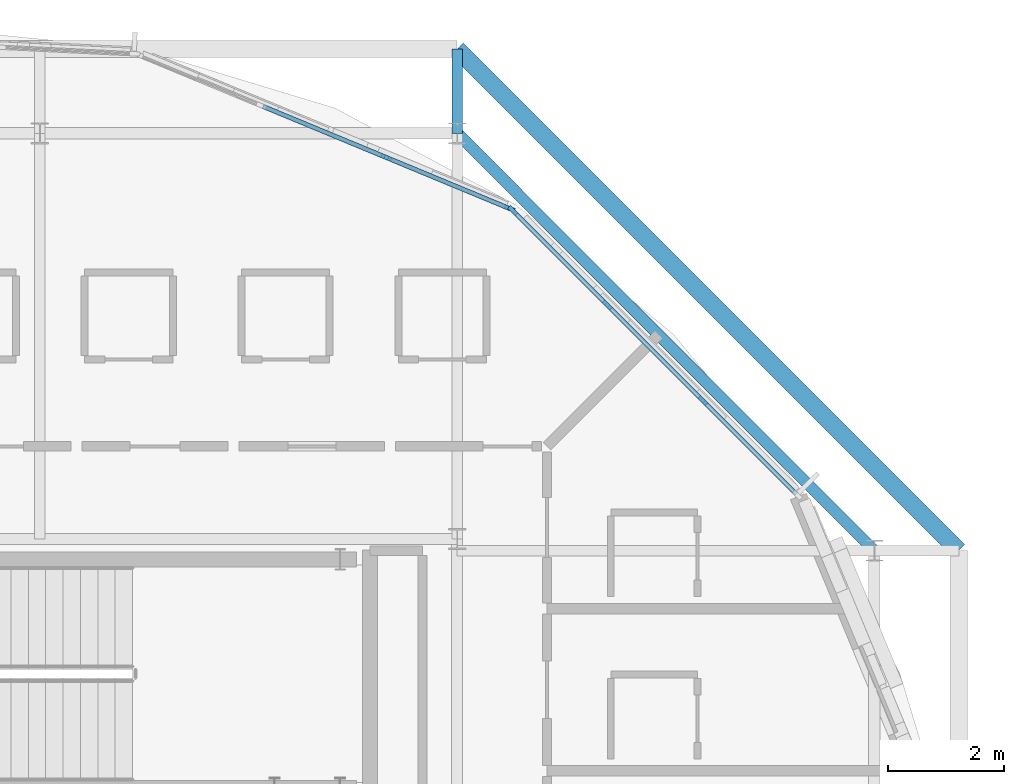
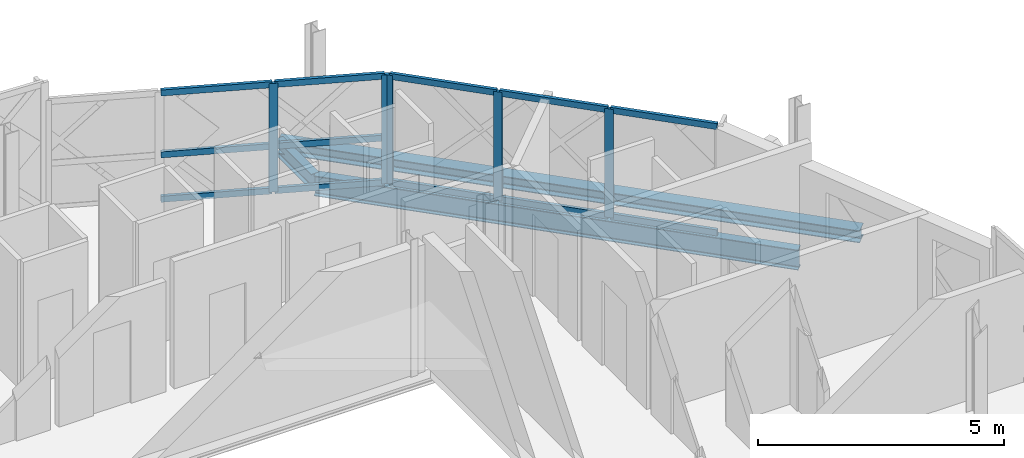
# One storey, part 10 of 24: 17 members, 3 beams, 2 elements without a shape of their own.
"""IFC4 building model written with IfcOpenShell, lengths in metres."""

import ifcopenshell
import ifcopenshell.guid

model = None  # the IFC model being written
_history = None  # IfcOwnerHistory: only IFC2X3 demands one
_inside = {}  # id of a spatial element -> (the spatial element, [elements in it])
_under = {}  # id of a project, library or spatial element -> (it, [spatial elements below it])
_declared = {}  # id of a project -> (the project, [libraries it declares])
_typed = {}  # id of a type object -> (the type object, [elements of that type])
_made_of = {}  # id of a material, layer set ... -> (it, [elements and type objects made of it])


def new_model(schema):
    """Start an empty IFC model of exactly this schema.

    Asked for "IFC4X3", IfcOpenShell would pick the latest addendum, in which some entities
    have other attributes; the version numbers below select the first issue.
    IFC2X3 requires an IfcOwnerHistory on every rooted entity: one is made here for all.
    """
    global model, _history
    if schema == "IFC4X3":
        model = ifcopenshell.file(schema_version=(4, 3, 0, 0))
    else:
        model = ifcopenshell.file(schema=schema)
    _inside.clear()
    _under.clear()
    _declared.clear()
    _typed.clear()
    _made_of.clear()
    _history = None
    if model.schema == "IFC2X3":
        org = make("IfcOrganization", Name="unknown")
        user = make(
            "IfcPersonAndOrganization",
            ThePerson=make("IfcPerson", FamilyName="unknown"),
            TheOrganization=org,
        )
        app = make(
            "IfcApplication",
            ApplicationDeveloper=org,
            Version="unknown",
            ApplicationFullName="unknown",
            ApplicationIdentifier="unknown",
        )
        _history = make(
            "IfcOwnerHistory",
            OwningUser=user,
            OwningApplication=app,
            ChangeAction="ADDED",
            CreationDate=0,
        )
    return model


def make(cls, **values):
    """One entity of the class cls with the attributes given. An attribute that is None is left unset."""
    return model.create_entity(
        cls, **{name: value for name, value in values.items() if value is not None}
    )


def rooted(cls, **values):
    """An entity with a GlobalId (a new one), such as an element, a storey or a relation."""
    return make(cls, GlobalId=ifcopenshell.guid.new(), OwnerHistory=_history, **values)


def si_unit(unit_type, name, prefix=None):
    """IfcSIUnit, for example si_unit("LENGTHUNIT", "METRE", prefix="MILLI")."""
    return make("IfcSIUnit", UnitType=unit_type, Prefix=prefix, Name=name)


def assignment(units):
    """IfcUnitAssignment: the units of a project."""
    return None if units is None else make("IfcUnitAssignment", Units=units)


def point(xyz):
    """IfcCartesianPoint."""
    return None if xyz is None else make("IfcCartesianPoint", Coordinates=xyz)


def direction(xyz):
    """IfcDirection."""
    return None if xyz is None else make("IfcDirection", DirectionRatios=xyz)


def frame(location, z_axis=None, x_axis=None):
    """IfcAxis2Placement3D, a coordinate frame: its origin and axes. An axis left out is left unset."""
    return make(
        "IfcAxis2Placement3D",
        Location=point(location),
        Axis=direction(z_axis),
        RefDirection=direction(x_axis),
    )


def frame_2d(location, x_axis=None):
    """IfcAxis2Placement2D, a coordinate frame in the plane: its origin and x axis."""
    return make(
        "IfcAxis2Placement2D", Location=point(location), RefDirection=direction(x_axis)
    )


def origin():
    """The frame at (0, 0, 0) with its axes left unset."""
    return frame((0.0, 0.0, 0.0))


def origin_2d():
    """The frame at (0, 0) in the plane with its x axis left unset."""
    return frame_2d((0.0, 0.0))


def place(relative_to, where):
    """IfcLocalPlacement: puts the frame where relative to a parent placement (None: the world)."""
    return make(
        "IfcLocalPlacement", PlacementRelTo=relative_to, RelativePlacement=where
    )


def context(
    kind, dimensions, precision=None, world=None, true_north=None, identifier=None
):
    """IfcGeometricRepresentationContext, for example the 3D "Model" context."""
    return make(
        "IfcGeometricRepresentationContext",
        ContextIdentifier=identifier,
        ContextType=kind,
        CoordinateSpaceDimension=dimensions,
        Precision=precision,
        WorldCoordinateSystem=world,
        TrueNorth=true_north,
    )


def subcontext(parent, identifier, kind, view, scale=None):
    """IfcGeometricRepresentationSubContext, for example "Body" below "Model"."""
    return make(
        "IfcGeometricRepresentationSubContext",
        ContextIdentifier=identifier,
        ContextType=kind,
        ParentContext=parent,
        TargetScale=scale,
        TargetView=view,
    )


def project(units=None, contexts=None):
    """IfcProject with its units and contexts."""
    return rooted(
        "IfcProject",
        Name="project",
        RepresentationContexts=contexts,
        UnitsInContext=assignment(units),
    )


def spatial(cls, under=None, at=None, **own):
    """A site, building, storey or space (cls), placed at a placement, below another one or the project."""
    s = rooted(cls, ObjectPlacement=at, **own)
    if under is not None:
        _under.setdefault(under.id(), (under, []))[1].append(s)
    return s


def profile(cls, at=None, kind="AREA", **sizes):
    """A parametric profile (cls). Its sizes go by their IFC names, for example OverallWidth=200.0."""
    return make(cls, ProfileType=kind, Position=at, **sizes)


def rectangle(**sizes):
    """IfcRectangleProfileDef."""
    return profile("IfcRectangleProfileDef", **sizes)


def i_section(**sizes):
    """IfcIShapeProfileDef."""
    return profile("IfcIShapeProfileDef", **sizes)


def extrude(swept, where, along, depth):
    """IfcExtrudedAreaSolid: the profile swept, set in the frame where, extruded along a direction by depth."""
    return make(
        "IfcExtrudedAreaSolid",
        SweptArea=swept,
        Position=where,
        ExtrudedDirection=direction(along),
        Depth=depth,
    )


def shape(context_of_items, identifier, shape_type, items):
    """IfcShapeRepresentation: the items that make up one representation, for example the "Body"."""
    return make(
        "IfcShapeRepresentation",
        ContextOfItems=context_of_items,
        RepresentationIdentifier=identifier,
        RepresentationType=shape_type,
        Items=items,
    )


def material(Name=None, Category=None):
    """IfcMaterial."""
    return make("IfcMaterial", Name=Name, Category=Category)


def layer(
    of_material, thickness, ventilated=None, Name=None, Category=None, Priority=None
):
    """IfcMaterialLayer: one layer of a wall or slab, of a material (None: an air gap)."""
    return make(
        "IfcMaterialLayer",
        Material=of_material,
        LayerThickness=thickness,
        IsVentilated=ventilated,
        Name=Name,
        Category=Category,
        Priority=Priority,
    )


def layer_set(layers, Name=None):
    """IfcMaterialLayerSet."""
    return make("IfcMaterialLayerSet", MaterialLayers=layers, LayerSetName=Name)


def material_profile(
    of_material, cross_section, Name=None, Category=None, Priority=None
):
    """IfcMaterialProfile: a cross section and its material."""
    return make(
        "IfcMaterialProfile",
        Name=Name,
        Material=of_material,
        Profile=cross_section,
        Priority=Priority,
        Category=Category,
    )


def profile_set(profiles, Name=None, composite=None):
    """IfcMaterialProfileSet."""
    return make(
        "IfcMaterialProfileSet",
        Name=Name,
        MaterialProfiles=profiles,
        CompositeProfile=composite,
    )


def made_of(thing, what):
    """Note that an element or type object is made of a material, layer set ...; save() writes the relation."""
    if what is not None:
        _made_of.setdefault(what.id(), (what, []))[1].append(thing)
    return thing


def type_object(cls, material=None, **own):
    """A type object (cls), such as IfcWallType, which elements share."""
    return made_of(rooted(cls, **own), material)


def element(
    cls,
    number,
    at=None,
    inside=None,
    cuts=None,
    type_object=None,
    material=None,
    context=None,
    identifier="Body",
    shape_type=None,
    held_by="IfcProductDefinitionShape",
    body=None,
    shapes=None,
    **own,
):
    """One element of the class cls, such as IfcWall. Its Tag is "e" and its number.

    at: its placement. inside: the storey or other place that contains it. cuts: it is an
    opening in that element (IfcRelVoidsElement). A single representation is given by context,
    identifier, shape_type and body (its items); several are given by shapes. held_by: the class
    of the entity that holds the representations. save() writes the other relations.
    """
    e = rooted(cls, Tag="e%d" % number, ObjectPlacement=at, **own)
    if body is not None:
        shapes = [shape(context, identifier, shape_type, body)]
    if shapes is not None:
        e.Representation = make(held_by, Representations=shapes)
    if inside is not None:
        _inside.setdefault(inside.id(), (inside, []))[1].append(e)
    if cuts is not None:
        rooted(
            "IfcRelVoidsElement", RelatingBuildingElement=cuts, RelatedOpeningElement=e
        )
    if type_object is not None:
        _typed.setdefault(type_object.id(), (type_object, []))[1].append(e)
    return made_of(e, material)


def aggregate(whole, parts):
    """IfcRelAggregates: a whole, such as a stair, and the parts it consists of."""
    return rooted("IfcRelAggregates", RelatingObject=whole, RelatedObjects=parts)


def save(model, path):
    """Write the relations noted so far, then the file.

    IfcRelAggregates (storeys below a building ...), IfcRelContainedInSpatialStructure (elements
    in a storey), IfcRelDefinesByType, IfcRelAssociatesMaterial and IfcRelDeclares: one each for
    every whole, place, type object, material and project.
    """
    for whole, parts in _under.values():
        aggregate(whole, parts)
    for where, things in _inside.values():
        rooted(
            "IfcRelContainedInSpatialStructure",
            RelatedElements=things,
            RelatingStructure=where,
        )
    for kind, things in _typed.values():
        rooted("IfcRelDefinesByType", RelatedObjects=things, RelatingType=kind)
    for what, things in _made_of.values():
        rooted("IfcRelAssociatesMaterial", RelatedObjects=things, RelatingMaterial=what)
    for by, libraries in _declared.values():
        rooted("IfcRelDeclares", RelatingContext=by, RelatedDefinitions=libraries)
    model.write(path)


model = new_model("IFC4")

# Units and contexts
model_context = context("Model", 3, precision=1e-05, world=origin(), true_north=direction((0.0, 1.0)))
body_context = subcontext(model_context, "Body", "Model", "MODEL_VIEW")
ifc_project = project(units=[si_unit("LENGTHUNIT", "METRE"), si_unit("AREAUNIT", "SQUARE_METRE"), si_unit("VOLUMEUNIT", "CUBIC_METRE"), si_unit("PLANEANGLEUNIT", "RADIAN"), si_unit("MASSUNIT", "GRAM", prefix="KILO")], contexts=[model_context])

# Site, building, storey
site_placement = place(None, origin())
site = spatial("IfcSite", under=ifc_project, at=site_placement, CompositionType="ELEMENT")
building_placement = place(site_placement, origin())
building = spatial("IfcBuilding", under=site, at=building_placement, Name="Zevrakil Square Congress Hotel", CompositionType="ELEMENT")
storey_placement = place(building_placement, frame((0.0, 0.0, 38.5)))
storey = spatial("IfcBuildingStorey", under=building, at=storey_placement, Name="L11", CompositionType="ELEMENT", Elevation=38.5)

# Beam
ifc_material_1 = material(Name="Steel S355", Category="steel")
ifc_material_profile_1 = material_profile(ifc_material_1, i_section(OverallWidth=0.199951171875, OverallDepth=0.5, WebThickness=0.01025390625, FlangeThickness=0.01611328125, FilletRadius=0.02099609375, at=origin_2d()), Name="IPE 500")
ifc_profile_set_1 = profile_set([ifc_material_profile_1], Name="Steel S355")
beam_type_1 = type_object("IfcBeamType", Name="BM-IPE500", PredefinedType="BEAM", material=ifc_profile_set_1)
beam_1_placement = place(storey_placement, frame((163.199951171875, 38.39990234375, -0.485107421875), z_axis=(-0.70709479277, 0.7071187694, 0.0), x_axis=(-0.7071187694, -0.70709479277, 0.0)))
element("IfcBeam", 1, at=beam_1_placement, inside=storey, type_object=beam_type_1, Name="L11 drum ring girder DRB-08", PredefinedType="BEAM", context=body_context, shape_type="SweptSolid", body=[
    extrude(i_section(OverallWidth=0.199951171875, OverallDepth=0.5, WebThickness=0.01025390625, FlangeThickness=0.01611328125, FilletRadius=0.02099609375, at=origin_2d()), origin(), (0.0, 0.0, 1.0), 10.182373046875),
])

# Curtain wall, members
ifc_material_2 = material(Name="Aluminium Anodised Bronze", Category="aluminium")
ifc_layer = layer(ifc_material_2, 0.179931640625)
ifc_layer_set = layer_set([ifc_layer], Name="Aluminium Anodised Bronze")
curtain_wall_type = type_object("IfcCurtainWallType", Name="CW-L11-720", PredefinedType="USERDEFINED", material=ifc_layer_set)
curtain_wall_1_placement = place(storey_placement, origin())
curtain_wall_1 = element("IfcCurtainWall", 2, at=curtain_wall_1_placement, inside=storey, type_object=curtain_wall_type, Name="L11 diamond curtain wall CW-L11-0291", ObjectType="GLAZED CURTAIN WALL", PredefinedType="USERDEFINED")
ifc_material_3 = material(Name="Aluminium Anodised Bronze", Category="aluminium")
ifc_material_profile_2 = material_profile(ifc_material_3, rectangle(XDim=0.074951171875, YDim=0.14990234375, at=origin_2d()), Name="ALU 75x150")
ifc_profile_set_2 = profile_set([ifc_material_profile_2], Name="Aluminium Anodised Bronze")
member_type_1 = type_object("IfcMemberType", Name="CWM-ALU75x150", PredefinedType="USERDEFINED", material=ifc_profile_set_2)
member_1_placement = place(storey_placement, frame((161.84765625, 39.378662109375, 0.030029296875), z_axis=(-0.707106781187, 0.707106781187, 0.0), x_axis=(-0.707106781187, -0.707106781187, 0.0)))
member_1 = element("IfcMember", 3, at=member_1_placement, type_object=member_type_1, Name="CW-130 transom 1.1", ObjectType="TRANSOM", PredefinedType="USERDEFINED", context=body_context, shape_type="SweptSolid", body=[
    extrude(rectangle(XDim=0.074951171875, YDim=0.14990234375, at=origin_2d()), origin(), (0.0, 0.0, 1.0), 2.245361328125),
])
member_2_placement = place(storey_placement, frame((161.84765625, 39.378662109375, 2.6650390625), z_axis=(-0.707106781187, 0.707106781187, 0.0), x_axis=(-0.707106781187, -0.707106781187, 0.0)))
member_2 = element("IfcMember", 4, at=member_2_placement, type_object=member_type_1, Name="CW-130 transom 1.2", ObjectType="TRANSOM", PredefinedType="USERDEFINED", context=body_context, shape_type="SweptSolid", body=[
    extrude(rectangle(XDim=0.074951171875, YDim=0.14990234375, at=origin_2d()), origin(), (0.0, 0.0, 1.0), 2.245361328125),
])
member_3_placement = place(storey_placement, frame((160.217529296875, 41.0087890625, 0.030029296875), z_axis=(-0.707160433205, 0.707053125097, 0.0), x_axis=(-0.707053125097, -0.707160433205, 0.0)))
member_3 = element("IfcMember", 5, at=member_3_placement, type_object=member_type_1, Name="CW-130 transom 2.1", ObjectType="TRANSOM", PredefinedType="USERDEFINED", context=body_context, shape_type="SweptSolid", body=[
    extrude(rectangle(XDim=0.074951171875, YDim=0.14990234375, at=origin_2d()), origin(), (0.0, 0.0, 1.0), 2.275146484375),
])
member_4_placement = place(storey_placement, frame((160.217529296875, 41.0087890625, 2.6650390625), z_axis=(-0.707160433205, 0.707053125097, 0.0), x_axis=(-0.707053125097, -0.707160433205, 0.0)))
member_4 = element("IfcMember", 6, at=member_4_placement, type_object=member_type_1, Name="CW-130 transom 2.2", ObjectType="TRANSOM", PredefinedType="USERDEFINED", context=body_context, shape_type="SweptSolid", body=[
    extrude(rectangle(XDim=0.074951171875, YDim=0.14990234375, at=origin_2d()), origin(), (0.0, 0.0, 1.0), 2.275146484375),
])
member_5_placement = place(storey_placement, frame((158.56640625, 42.659912109375, 0.030029296875), z_axis=(-0.707106781187, 0.707106781187, 0.0), x_axis=(-0.707106781187, -0.707106781187, 0.0)))
member_5 = element("IfcMember", 7, at=member_5_placement, type_object=member_type_1, Name="CW-130 transom 3.1", ObjectType="TRANSOM", PredefinedType="USERDEFINED", context=body_context, shape_type="SweptSolid", body=[
    extrude(rectangle(XDim=0.074951171875, YDim=0.14990234375, at=origin_2d()), origin(), (0.0, 0.0, 1.0), 2.245361328125),
])
member_6_placement = place(storey_placement, frame((158.56640625, 42.659912109375, 2.6650390625), z_axis=(-0.707106781187, 0.707106781187, 0.0), x_axis=(-0.707106781187, -0.707106781187, 0.0)))
member_6 = element("IfcMember", 8, at=member_6_placement, type_object=member_type_1, Name="CW-130 transom 3.2", ObjectType="TRANSOM", PredefinedType="USERDEFINED", context=body_context, shape_type="SweptSolid", body=[
    extrude(rectangle(XDim=0.074951171875, YDim=0.14990234375, at=origin_2d()), origin(), (0.0, 0.0, 1.0), 2.245361328125),
])

curtain_wall_2_placement = place(storey_placement, origin())
curtain_wall_2 = element("IfcCurtainWall", 9, at=curtain_wall_2_placement, inside=storey, type_object=curtain_wall_type, Name="L11 diamond curtain wall CW-L11-0292", ObjectType="GLAZED CURTAIN WALL", PredefinedType="USERDEFINED")
member_7_placement = place(storey_placement, frame((156.880859375, 44.31298828125, 0.030029296875), z_axis=(-0.923901544851, 0.382630285552, 0.0), x_axis=(-0.382630285552, -0.923901544851, 0.0)))
member_7 = element("IfcMember", 10, at=member_7_placement, type_object=member_type_1, Name="CW-130 transom 1.1", ObjectType="TRANSOM", PredefinedType="USERDEFINED", context=body_context, shape_type="SweptSolid", body=[
    extrude(rectangle(XDim=0.074951171875, YDim=0.14990234375, at=origin_2d()), origin(), (0.0, 0.0, 1.0), 2.245361328125),
])
member_8_placement = place(storey_placement, frame((156.880859375, 44.31298828125, 1.1318359375), z_axis=(-0.923901544851, 0.382630285552, 0.0), x_axis=(-0.382630285552, -0.923901544851, 0.0)))
member_8 = element("IfcMember", 11, at=member_8_placement, type_object=member_type_1, Name="CW-130 transom 1.2", ObjectType="TRANSOM", PredefinedType="USERDEFINED", context=body_context, shape_type="SweptSolid", body=[
    extrude(rectangle(XDim=0.074951171875, YDim=0.14990234375, at=origin_2d()), origin(), (0.0, 0.0, 1.0), 2.245361328125),
])
member_9_placement = place(storey_placement, frame((156.880859375, 44.31298828125, 2.6650390625), z_axis=(-0.923901544851, 0.382630285552, 0.0), x_axis=(-0.382630285552, -0.923901544851, 0.0)))
member_9 = element("IfcMember", 12, at=member_9_placement, type_object=member_type_1, Name="CW-130 transom 1.3", ObjectType="TRANSOM", PredefinedType="USERDEFINED", context=body_context, shape_type="SweptSolid", body=[
    extrude(rectangle(XDim=0.074951171875, YDim=0.14990234375, at=origin_2d()), origin(), (0.0, 0.0, 1.0), 2.245361328125),
])
member_10_placement = place(storey_placement, frame((154.7509765625, 45.195068359375, 0.030029296875), z_axis=(-0.923855963606, 0.38274032778, 0.0), x_axis=(-0.38274032778, -0.923855963606, 0.0)))
member_10 = element("IfcMember", 13, at=member_10_placement, type_object=member_type_1, Name="CW-130 transom 2.1", ObjectType="TRANSOM", PredefinedType="USERDEFINED", context=body_context, shape_type="SweptSolid", body=[
    extrude(rectangle(XDim=0.074951171875, YDim=0.14990234375, at=origin_2d()), origin(), (0.0, 0.0, 1.0), 2.275390625),
])
member_11_placement = place(storey_placement, frame((154.7509765625, 45.195068359375, 1.1318359375), z_axis=(-0.923855963606, 0.38274032778, 0.0), x_axis=(-0.38274032778, -0.923855963606, 0.0)))
member_11 = element("IfcMember", 14, at=member_11_placement, type_object=member_type_1, Name="CW-130 transom 2.2", ObjectType="TRANSOM", PredefinedType="USERDEFINED", context=body_context, shape_type="SweptSolid", body=[
    extrude(rectangle(XDim=0.074951171875, YDim=0.14990234375, at=origin_2d()), origin(), (0.0, 0.0, 1.0), 2.275390625),
])
member_12_placement = place(storey_placement, frame((154.7509765625, 45.195068359375, 2.6650390625), z_axis=(-0.923855963606, 0.38274032778, 0.0), x_axis=(-0.38274032778, -0.923855963606, 0.0)))
member_12 = element("IfcMember", 15, at=member_12_placement, type_object=member_type_1, Name="CW-130 transom 2.3", ObjectType="TRANSOM", PredefinedType="USERDEFINED", context=body_context, shape_type="SweptSolid", body=[
    extrude(rectangle(XDim=0.074951171875, YDim=0.14990234375, at=origin_2d()), origin(), (0.0, 0.0, 1.0), 2.275390625),
])

# Member
ifc_material_4 = material(Name="Aluminium Anodised Bronze", Category="aluminium")
ifc_material_profile_3 = material_profile(ifc_material_4, rectangle(XDim=0.074951171875, YDim=0.179931640625, at=origin_2d()), Name="ALU 75x180")
ifc_profile_set_3 = profile_set([ifc_material_profile_3], Name="Aluminium Anodised Bronze")
member_type_2 = type_object("IfcMemberType", Name="CWM-ALU75x180", PredefinedType="MULLION", material=ifc_profile_set_3)
member_13_placement = place(storey_placement, frame((160.23876953125, 40.987548828125, 0.0), z_axis=(0.0, 0.0, 1.0), x_axis=(-0.707106781187, -0.707106781187, 0.0)))
member_13 = element("IfcMember", 16, at=member_13_placement, type_object=member_type_2, Name="CW-130 mullion 2", PredefinedType="MULLION", context=body_context, shape_type="SweptSolid", body=[
    extrude(rectangle(XDim=0.074951171875, YDim=0.179931640625, at=origin_2d()), origin(), (0.0, 0.0, 1.0), 2.695068359375),
])

member_14_placement = place(storey_placement, frame((158.587646484375, 42.638671875, 0.0), z_axis=(0.0, 0.0, 1.0), x_axis=(-0.707106781187, -0.707106781187, 0.0)))
member_14 = element("IfcMember", 17, at=member_14_placement, type_object=member_type_2, Name="CW-130 mullion 3", PredefinedType="MULLION", context=body_context, shape_type="SweptSolid", body=[
    extrude(rectangle(XDim=0.074951171875, YDim=0.179931640625, at=origin_2d()), origin(), (0.0, 0.0, 1.0), 2.695068359375),
])

member_15_placement = place(storey_placement, frame((156.95751953125, 44.268798828125, 0.0), z_axis=(0.0, 0.0, 1.0), x_axis=(-0.707106781187, -0.707106781187, 0.0)))
member_15 = element("IfcMember", 18, at=member_15_placement, type_object=member_type_2, Name="CW-130 mullion 4", PredefinedType="MULLION", context=body_context, shape_type="SweptSolid", body=[
    extrude(rectangle(XDim=0.074951171875, YDim=0.179931640625, at=origin_2d()), origin(), (0.0, 0.0, 1.0), 2.695068359375),
])

aggregate(curtain_wall_1, [member_13, member_14, member_15, member_1, member_2, member_3, member_4, member_5, member_6])

member_16_placement = place(storey_placement, frame((156.90869140625, 44.301513671875, 0.0), z_axis=(0.0, 0.0, 1.0), x_axis=(-0.382683763454, -0.92387939537, 0.0)))
member_16 = element("IfcMember", 19, at=member_16_placement, type_object=member_type_2, Name="CW-130 mullion 1", PredefinedType="MULLION", context=body_context, shape_type="SweptSolid", body=[
    extrude(rectangle(XDim=0.074951171875, YDim=0.179931640625, at=origin_2d()), origin(), (0.0, 0.0, 1.0), 2.695068359375),
])

member_17_placement = place(storey_placement, frame((154.77880859375, 45.18359375, 0.0), z_axis=(0.0, 0.0, 1.0), x_axis=(-0.382683763454, -0.92387939537, 0.0)))
member_17 = element("IfcMember", 20, at=member_17_placement, type_object=member_type_2, Name="CW-130 mullion 2", PredefinedType="MULLION", context=body_context, shape_type="SweptSolid", body=[
    extrude(rectangle(XDim=0.074951171875, YDim=0.179931640625, at=origin_2d()), origin(), (0.0, 0.0, 1.0), 2.695068359375),
])

aggregate(curtain_wall_2, [member_16, member_17, member_7, member_8, member_9, member_10, member_11, member_12])

# Beams
ifc_material_5 = material(Name="Steel S355", Category="steel")
ifc_material_profile_4 = material_profile(ifc_material_5, i_section(OverallWidth=0.179931640625, OverallDepth=0.39990234375, WebThickness=0.008544921875, FlangeThickness=0.013427734375, FilletRadius=0.02099609375, at=origin_2d()), Name="IPE 400")
ifc_profile_set_4 = profile_set([ifc_material_profile_4], Name="Steel S355")
beam_type_2 = type_object("IfcBeamType", Name="JST-IPE400", PredefinedType="JOIST", material=ifc_profile_set_4)
beam_2_placement = place(storey_placement, frame((156.0, 45.60009765625, -0.43505859375), z_axis=(0.0, 1.0, 0.0), x_axis=(-1.0, 0.0, 0.0)))
element("IfcBeam", 21, at=beam_2_placement, inside=storey, type_object=beam_type_2, Name="L11 drum radial edge cantilever beam DRO-09", PredefinedType="JOIST", context=body_context, shape_type="SweptSolid", body=[
    extrude(i_section(OverallWidth=0.179931640625, OverallDepth=0.39990234375, WebThickness=0.008544921875, FlangeThickness=0.013427734375, FilletRadius=0.02099609375, at=origin_2d()), origin(), (0.0, 0.0, 1.0), 1.455810546875),
])
ifc_material_6 = material(Name="Steel S355", Category="steel")
ifc_material_profile_5 = material_profile(ifc_material_6, i_section(OverallWidth=0.300048828125, OverallDepth=0.300048828125, WebThickness=0.010986328125, FlangeThickness=0.01904296875, FilletRadius=0.027099609375, at=origin_2d()), Name="HEB 300")
ifc_profile_set_5 = profile_set([ifc_material_profile_5], Name="Steel S355")
beam_type_3 = type_object("IfcBeamType", Name="SPD-RHS250", PredefinedType="SPANDREL", material=ifc_profile_set_5)
beam_3_placement = place(storey_placement, frame((164.656005859375, 38.39990234375, -0.385009765625), z_axis=(-0.707106781187, 0.707106781187, 0.0), x_axis=(-0.707106781187, -0.707106781187, 0.0)))
element("IfcBeam", 22, at=beam_3_placement, inside=storey, type_object=beam_type_3, Name="L11 drum edge spandrel beam DSP-07", PredefinedType="SPANDREL", context=body_context, shape_type="SweptSolid", body=[
    extrude(i_section(OverallWidth=0.300048828125, OverallDepth=0.300048828125, WebThickness=0.010986328125, FlangeThickness=0.01904296875, FilletRadius=0.027099609375, at=origin_2d()), origin(), (0.0, 0.0, 1.0), 12.241455078125),
])

save(model, "model.ifc")
